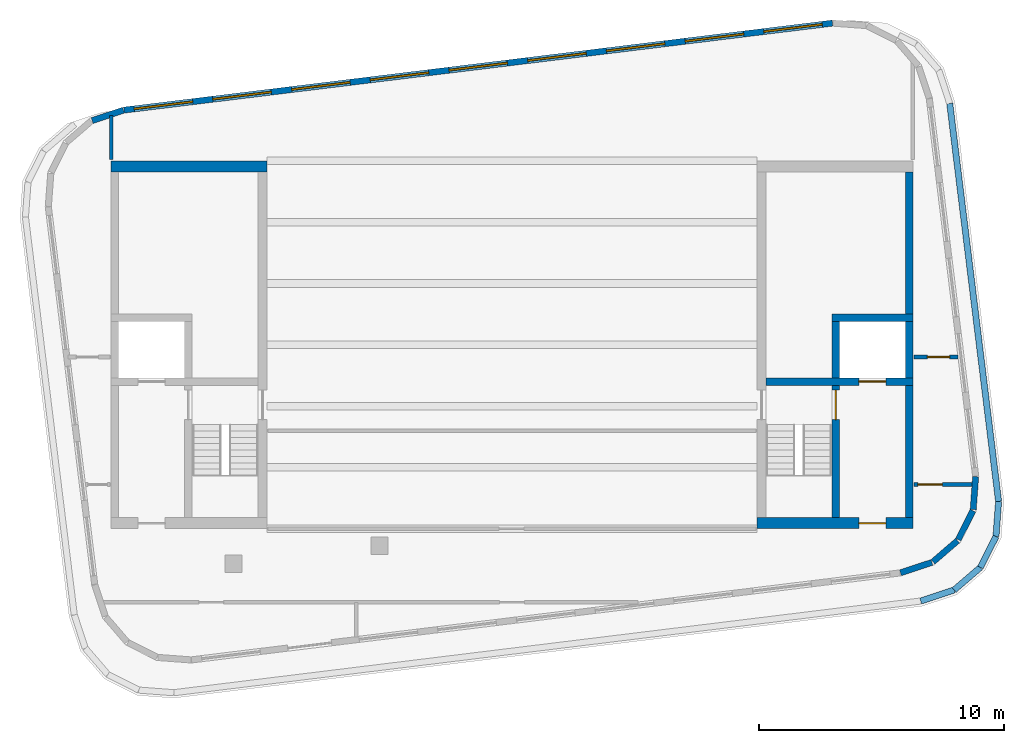
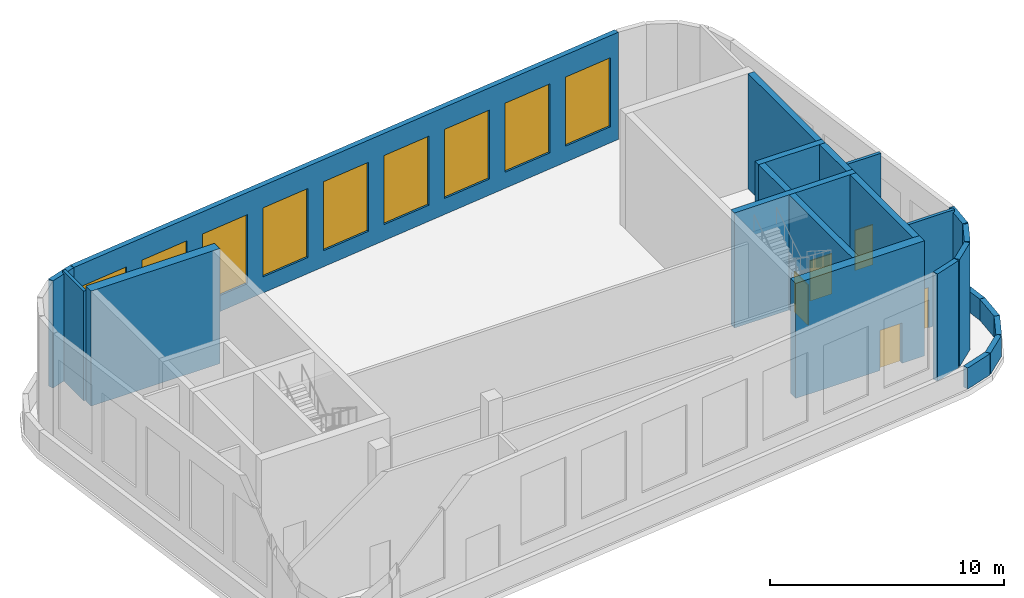
# One storey, part 3 of 5: 23 walls, 9 windows, 5 doors, 14 openings.
"""IFC4 building model written with IfcOpenShell, lengths in metres."""

from ifc_helpers import new_model, si_unit, direction, frame, frame_2d, origin, place, context, subcontext, project, spatial, rectangle, extrude, material, layer, layer_set, type_object, element, fill, save


model = new_model("IFC4")

# Units and contexts
model_context = context("Model", 3, precision=1e-05, world=origin(), true_north=direction((0.0, 1.0)))
body_context = subcontext(model_context, "Body", "Model", "MODEL_VIEW")
ifc_project = project(units=[si_unit("LENGTHUNIT", "METRE"), si_unit("AREAUNIT", "SQUARE_METRE"), si_unit("VOLUMEUNIT", "CUBIC_METRE"), si_unit("PLANEANGLEUNIT", "RADIAN"), si_unit("MASSUNIT", "GRAM", prefix="KILO")], contexts=[model_context])

# Site, building, storey
site_placement = place(None, origin())
site = spatial("IfcSite", under=ifc_project, at=site_placement, CompositionType="ELEMENT")
building_placement = place(site_placement, origin())
building = spatial("IfcBuilding", under=site, at=building_placement, Name="Torana Hotel and Residences", CompositionType="ELEMENT")
storey_placement = place(building_placement, frame((0.0, 0.0, 357.39990234375)))
storey = spatial("IfcBuildingStorey", under=building, at=storey_placement, Name="C4", CompositionType="ELEMENT", Elevation=357.39990234375)

# Walls
ifc_material_1 = material(Name="Concrete C50/60", Category="concrete")
ifc_layer_1 = layer(ifc_material_1, 0.300048828125)
ifc_layer_set_1 = layer_set([ifc_layer_1], Name="CORE WALL 300 C50/60")
wall_type_1 = type_object("IfcWallType", Name="CORE WALL 300 C50/60", PredefinedType="SHEAR", material=ifc_layer_set_1)
wall_1_placement = place(storey_placement, frame((16.199951171875, -6.25, 0.0), z_axis=(0.0, 0.0, 1.0), x_axis=(0.0, 1.0, 0.0)))
element("IfcWall", 1, at=wall_1_placement, inside=storey, type_object=wall_type_1, Name="Core wall E outer-n", PredefinedType="SHEAR", context=body_context, shape_type="SweptSolid", body=[
    extrude(rectangle(XDim=5.800048828125, YDim=0.300048828125, at=frame_2d((2.89990234375, 0.0))), origin(), (0.0, 0.0, 1.0), 6.0),
])
wall_2_placement = place(storey_placement, frame((16.199951171875, -14.550048828125, 0.0), z_axis=(0.0, 0.0, 1.0), x_axis=(0.0, 1.0, 0.0)))
element("IfcWall", 2, at=wall_2_placement, inside=storey, type_object=wall_type_1, Name="Core wall E outer-s", PredefinedType="SHEAR", context=body_context, shape_type="SweptSolid", body=[
    extrude(rectangle(XDim=5.400146484375, YDim=0.300048828125, at=frame_2d((2.7001953125, 0.0))), origin(), (0.0, 0.0, 1.0), 6.0),
])

# Wall, opening, door
wall_3_placement = place(storey_placement, frame((10.35009765625, -9.0, 0.0), z_axis=(0.0, 0.0, 1.0), x_axis=(1.0, 0.0, 0.0)))
wall_3 = element("IfcWall", 3, at=wall_3_placement, inside=storey, type_object=wall_type_1, Name="Core wall E band", PredefinedType="SHEAR", context=body_context, shape_type="SweptSolid", body=[
    extrude(rectangle(XDim=6.0, YDim=0.300048828125, at=frame_2d((3.0, 0.0))), origin(), (0.0, 0.0, 1.0), 6.0),
])
opening_1_placement = place(wall_3_placement, frame((3.800048828125, 0.0, 0.0)))
opening_1 = element("IfcOpeningElement", 4, at=opening_1_placement, cuts=wall_3, Name="Opening LD", PredefinedType="OPENING", context=body_context, shape_type="SweptSolid", body=[
    extrude(rectangle(XDim=1.10009765625, YDim=2.10009765625, at=frame_2d((0.550048828125, 1.050048828125))), frame((0.0, 0.159912109375, 0.0), z_axis=(0.0, -1.0, 0.0), x_axis=(1.0, 0.0, 0.0)), (0.0, 0.0, 1.0), 0.320068359375),
])
ifc_material_2 = material(Name="Stainless steel 316", Category="steel")
door_type_1 = type_object("IfcDoorType", Name="LIFT LANDING DOOR LD 1100x2100", OperationType="DOUBLE_DOOR_SLIDING", PredefinedType="USERDEFINED", material=ifc_material_2)
door_1_placement = place(opening_1_placement, origin())
door_1 = element("IfcDoor", 5, at=door_1_placement, inside=storey, type_object=door_type_1, Name="Lift landing door FF2 C4", ObjectType="LIFT LANDING DOOR", OperationType="DOUBLE_DOOR_SLIDING", OverallHeight=2.10009765625, OverallWidth=1.10009765625, PredefinedType="USERDEFINED", context=body_context, shape_type="SweptSolid", body=[
    extrude(rectangle(XDim=1.10009765625, YDim=2.10009765625, at=frame_2d((0.550048828125, 1.050048828125))), frame((0.0, 0.02490234375, 0.0), z_axis=(0.0, -1.0, 0.0), x_axis=(1.0, 0.0, 0.0)), (0.0, 0.0, 1.0), 0.050048828125),
])
fill(opening_1, door_1)

wall_4_placement = place(storey_placement, frame((13.199951171875, -14.550048828125, 0.0), z_axis=(0.0, 0.0, 1.0), x_axis=(0.0, 1.0, 0.0)))
wall_4 = element("IfcWall", 6, at=wall_4_placement, inside=storey, type_object=wall_type_1, Name="Core wall E x3.05-band", PredefinedType="SHEAR", context=body_context, shape_type="SweptSolid", body=[
    extrude(rectangle(XDim=5.400146484375, YDim=0.300048828125, at=frame_2d((2.7001953125, 0.0))), origin(), (0.0, 0.0, 1.0), 6.0),
])
opening_2_placement = place(wall_4_placement, frame((4.0, 0.0, 0.0)))
opening_2 = element("IfcOpeningElement", 7, at=opening_2_placement, cuts=wall_4, Name="Opening C4-06", PredefinedType="OPENING", context=body_context, shape_type="SweptSolid", body=[
    extrude(rectangle(XDim=1.199951171875, YDim=2.10009765625, at=frame_2d((0.60009765625, 1.050048828125))), frame((0.0, 0.159912109375, 0.0), z_axis=(0.0, -1.0, 0.0), x_axis=(1.0, 0.0, 0.0)), (0.0, 0.0, 1.0), 0.320068359375),
])
ifc_material_3 = material(Name="Steel S235", Category="steel")
door_type_2 = type_object("IfcDoorType", Name="STAIR FIRE DOOR D3 1200x2100", OperationType="SINGLE_SWING_LEFT", PredefinedType="DOOR", material=ifc_material_3)
door_2_placement = place(opening_2_placement, origin())
door_2 = element("IfcDoor", 8, at=door_2_placement, inside=storey, type_object=door_type_2, Name="Stair-A-lobby door C4", OperationType="SINGLE_SWING_LEFT", OverallHeight=2.10009765625, OverallWidth=1.199951171875, PredefinedType="DOOR", context=body_context, shape_type="SweptSolid", body=[
    extrude(rectangle(XDim=1.199951171875, YDim=2.10009765625, at=frame_2d((0.60009765625, 1.050048828125))), frame((0.0, 0.02490234375, 0.0), z_axis=(0.0, -1.0, 0.0), x_axis=(1.0, 0.0, 0.0)), (0.0, 0.0, 1.0), 0.050048828125),
])
fill(opening_2, door_2)

# Walls
wall_5_placement = place(storey_placement, frame((13.050048828125, -6.39990234375, 0.0), z_axis=(0.0, 0.0, 1.0), x_axis=(1.0, 0.0, 0.0)))
element("IfcWall", 9, at=wall_5_placement, inside=storey, type_object=wall_type_1, Name="Core wall E row-S", PredefinedType="SHEAR", context=body_context, shape_type="SweptSolid", body=[
    extrude(rectangle(XDim=3.300048828125, YDim=0.300048828125, at=frame_2d((1.64990234375, 0.0))), origin(), (0.0, 0.0, 1.0), 6.0),
])
for number, where, z_axis, x_axis, name in (
    (10, (13.199951171875, -8.85009765625, 0.0), (0.0, 0.0, 1.0), (0.0, 1.0, 0.0), "Core wall E x3.05-S"),
    (11, (16.199951171875, -8.85009765625, 0.0), (0.0, 0.0, 1.0), (0.0, 1.0, 0.0), "Core wall E x6.05-S"),
):
    element("IfcWall", number, at=place(storey_placement, frame(where, z_axis=z_axis, x_axis=x_axis)), inside=storey, type_object=wall_type_1, Name=name, PredefinedType="SHEAR", context=body_context, shape_type="SweptSolid", body=[
        extrude(rectangle(XDim=2.300048828125, YDim=0.300048828125, at=frame_2d((1.14990234375, 0.0))), origin(), (0.0, 0.0, 1.0), 6.0),
    ])
ifc_material_4 = material(Name="Concrete C50/60", Category="concrete")
ifc_layer_2 = layer(ifc_material_4, 0.449951171875)
ifc_layer_set_2 = layer_set([ifc_layer_2], Name="CORE WALL 450 C50/60")
wall_type_2 = type_object("IfcWallType", Name="CORE WALL 450 C50/60", PredefinedType="SHEAR", material=ifc_layer_set_2)
wall_6_placement = place(storey_placement, frame((-16.35009765625, -0.22509765625, 0.0), z_axis=(0.0, 0.0, 1.0), x_axis=(1.0, 0.0, 0.0)))
element("IfcWall", 12, at=wall_6_placement, inside=storey, type_object=wall_type_2, Name="Core wall W rear", PredefinedType="SHEAR", context=body_context, shape_type="SweptSolid", body=[
    extrude(rectangle(XDim=6.35009765625, YDim=0.449951171875, at=frame_2d((3.175048828125, 0.0))), origin(), (0.0, 0.0, 1.0), 6.0),
])

# Wall, opening, door
wall_7_placement = place(storey_placement, frame((10.0, -14.77490234375, 0.0), z_axis=(0.0, 0.0, 1.0), x_axis=(1.0, 0.0, 0.0)))
wall_7 = element("IfcWall", 13, at=wall_7_placement, inside=storey, type_object=wall_type_2, Name="Core wall E front", PredefinedType="SHEAR", context=body_context, shape_type="SweptSolid", body=[
    extrude(rectangle(XDim=6.35009765625, YDim=0.449951171875, at=frame_2d((3.175048828125, 0.0))), origin(), (0.0, 0.0, 1.0), 6.0),
])
opening_3_placement = place(wall_7_placement, frame((4.14990234375, 0.0, 0.0)))
opening_3 = element("IfcOpeningElement", 14, at=opening_3_placement, cuts=wall_7, Name="Opening C4-05", PredefinedType="OPENING", context=body_context, shape_type="SweptSolid", body=[
    extrude(rectangle(XDim=1.10009765625, YDim=2.10009765625, at=frame_2d((0.550048828125, 1.050048828125))), frame((0.0, 0.23486328125, 0.0), z_axis=(0.0, -1.0, 0.0), x_axis=(1.0, 0.0, 0.0)), (0.0, 0.0, 1.0), 0.469970703125),
])
ifc_material_5 = material(Name="Steel S235", Category="steel")
door_type_3 = type_object("IfcDoorType", Name="FIRE-FIGHTING LOBBY DOOR D8 1100x2100", OperationType="SINGLE_SWING_LEFT", PredefinedType="DOOR", material=ifc_material_5)
door_3_placement = place(opening_3_placement, origin())
door_3 = element("IfcDoor", 15, at=door_3_placement, inside=storey, type_object=door_type_3, Name="FF-lobby door C4", OperationType="SINGLE_SWING_RIGHT", OverallHeight=2.10009765625, OverallWidth=1.10009765625, PredefinedType="DOOR", context=body_context, shape_type="SweptSolid", body=[
    extrude(rectangle(XDim=1.10009765625, YDim=2.10009765625, at=frame_2d((0.550048828125, 1.050048828125))), frame((0.0, 0.02490234375, 0.0), z_axis=(0.0, -1.0, 0.0), x_axis=(1.0, 0.0, 0.0)), (0.0, 0.0, 1.0), 0.050048828125),
])
fill(opening_3, door_3)

# Wall, openings, windows
ifc_material_6 = material(Name="Aluminium louvre wall", Category="aluminium")
ifc_layer_3 = layer(ifc_material_6, 0.25)
ifc_layer_set_3 = layer_set([ifc_layer_3], Name="EW3 LOUVRE WALL 250")
wall_type_3 = type_object("IfcWallType", Name="EW3 LOUVRE WALL 250", PredefinedType="SOLIDWALL", material=ifc_layer_set_3)
wall_8_placement = place(storey_placement, frame((13.0703125, 5.62060546875, 0.0), z_axis=(0.0, 0.0, 1.0), x_axis=(-0.992546587848, -0.121865790738, 0.0)))
wall_8 = element("IfcWall", 16, at=wall_8_placement, inside=storey, type_object=wall_type_3, Name="Louvre wall C4 e0.4", PredefinedType="SOLIDWALL", context=body_context, shape_type="SweptSolid", body=[
    extrude(rectangle(XDim=29.11083984375, YDim=0.25, at=frame_2d((14.555419921875, 0.0))), origin(), (0.0, 0.0, 1.0), 5.590087890625),
])
opening_4_placement = place(wall_8_placement, frame((0.417236328125, 0.0, 0.83837890625)))
opening_4 = element("IfcOpeningElement", 17, at=opening_4_placement, cuts=wall_8, Name="Opening LV2", PredefinedType="OPENING", context=body_context, shape_type="SweptSolid", body=[
    extrude(rectangle(XDim=2.39990234375, YDim=3.60009765625, at=frame_2d((1.199951171875, 1.800048828125))), frame((0.0, 0.135009765625, 0.0), z_axis=(0.0, -1.0, 0.0), x_axis=(1.0, 0.0, 0.0)), (0.0, 0.0, 1.0), 0.27001953125),
])
opening_5_placement = place(wall_8_placement, frame((3.65185546875, 0.0, 0.83837890625)))
opening_5 = element("IfcOpeningElement", 18, at=opening_5_placement, cuts=wall_8, Name="Opening LV2", PredefinedType="OPENING", context=body_context, shape_type="SweptSolid", body=[
    extrude(rectangle(XDim=2.39990234375, YDim=3.60009765625, at=frame_2d((1.199951171875, 1.800048828125))), frame((0.0, 0.135009765625, 0.0), z_axis=(0.0, -1.0, 0.0), x_axis=(1.0, 0.0, 0.0)), (0.0, 0.0, 1.0), 0.27001953125),
])
opening_6_placement = place(wall_8_placement, frame((6.88623046875, 0.0, 0.83837890625)))
opening_6 = element("IfcOpeningElement", 19, at=opening_6_placement, cuts=wall_8, Name="Opening LV2", PredefinedType="OPENING", context=body_context, shape_type="SweptSolid", body=[
    extrude(rectangle(XDim=2.39990234375, YDim=3.60009765625, at=frame_2d((1.199951171875, 1.800048828125))), frame((0.0, 0.135009765625, 0.0), z_axis=(0.0, -1.0, 0.0), x_axis=(1.0, 0.0, 0.0)), (0.0, 0.0, 1.0), 0.27001953125),
])
opening_7_placement = place(wall_8_placement, frame((10.120849609375, 0.0, 0.83837890625)))
opening_7 = element("IfcOpeningElement", 20, at=opening_7_placement, cuts=wall_8, Name="Opening LV2", PredefinedType="OPENING", context=body_context, shape_type="SweptSolid", body=[
    extrude(rectangle(XDim=2.39990234375, YDim=3.60009765625, at=frame_2d((1.199951171875, 1.800048828125))), frame((0.0, 0.135009765625, 0.0), z_axis=(0.0, -1.0, 0.0), x_axis=(1.0, 0.0, 0.0)), (0.0, 0.0, 1.0), 0.27001953125),
])
opening_8_placement = place(wall_8_placement, frame((13.35546875, 0.0, 0.83837890625)))
opening_8 = element("IfcOpeningElement", 21, at=opening_8_placement, cuts=wall_8, Name="Opening LV2", PredefinedType="OPENING", context=body_context, shape_type="SweptSolid", body=[
    extrude(rectangle(XDim=2.39990234375, YDim=3.60009765625, at=frame_2d((1.199951171875, 1.800048828125))), frame((0.0, 0.135009765625, 0.0), z_axis=(0.0, -1.0, 0.0), x_axis=(1.0, 0.0, 0.0)), (0.0, 0.0, 1.0), 0.27001953125),
])
opening_9_placement = place(wall_8_placement, frame((16.58984375, 0.0, 0.83837890625)))
opening_9 = element("IfcOpeningElement", 22, at=opening_9_placement, cuts=wall_8, Name="Opening LV2", PredefinedType="OPENING", context=body_context, shape_type="SweptSolid", body=[
    extrude(rectangle(XDim=2.39990234375, YDim=3.60009765625, at=frame_2d((1.199951171875, 1.800048828125))), frame((0.0, 0.135009765625, 0.0), z_axis=(0.0, -1.0, 0.0), x_axis=(1.0, 0.0, 0.0)), (0.0, 0.0, 1.0), 0.27001953125),
])
opening_10_placement = place(wall_8_placement, frame((19.824462890625, 0.0, 0.83837890625)))
opening_10 = element("IfcOpeningElement", 23, at=opening_10_placement, cuts=wall_8, Name="Opening LV2", PredefinedType="OPENING", context=body_context, shape_type="SweptSolid", body=[
    extrude(rectangle(XDim=2.39990234375, YDim=3.60009765625, at=frame_2d((1.199951171875, 1.800048828125))), frame((0.0, 0.135009765625, 0.0), z_axis=(0.0, -1.0, 0.0), x_axis=(1.0, 0.0, 0.0)), (0.0, 0.0, 1.0), 0.27001953125),
])
opening_11_placement = place(wall_8_placement, frame((23.05908203125, 0.0, 0.83837890625)))
opening_11 = element("IfcOpeningElement", 24, at=opening_11_placement, cuts=wall_8, Name="Opening LV2", PredefinedType="OPENING", context=body_context, shape_type="SweptSolid", body=[
    extrude(rectangle(XDim=2.39990234375, YDim=3.60009765625, at=frame_2d((1.199951171875, 1.800048828125))), frame((0.0, 0.135009765625, 0.0), z_axis=(0.0, -1.0, 0.0), x_axis=(1.0, 0.0, 0.0)), (0.0, 0.0, 1.0), 0.27001953125),
])
opening_12_placement = place(wall_8_placement, frame((26.29345703125, 0.0, 0.83837890625)))
opening_12 = element("IfcOpeningElement", 25, at=opening_12_placement, cuts=wall_8, Name="Opening LV2", PredefinedType="OPENING", context=body_context, shape_type="SweptSolid", body=[
    extrude(rectangle(XDim=2.39990234375, YDim=3.60009765625, at=frame_2d((1.199951171875, 1.800048828125))), frame((0.0, 0.135009765625, 0.0), z_axis=(0.0, -1.0, 0.0), x_axis=(1.0, 0.0, 0.0)), (0.0, 0.0, 1.0), 0.27001953125),
])
ifc_material_7 = material(Name="Aluminium louvre blades", Category="aluminium")
window_type = type_object("IfcWindowType", Name="LV2 LOUVRE 2400x3600", PartitioningType="SINGLE_PANEL", PredefinedType="USERDEFINED", material=ifc_material_7)
window_1_placement = place(opening_4_placement, origin())
window_1 = element("IfcWindow", 26, at=window_1_placement, inside=storey, type_object=window_type, Name="Louvre C4", ObjectType="LOUVRE", OverallHeight=3.60009765625, OverallWidth=2.39990234375, PartitioningType="SINGLE_PANEL", PredefinedType="USERDEFINED", context=body_context, shape_type="SweptSolid", body=[
    extrude(rectangle(XDim=2.39990234375, YDim=3.60009765625, at=frame_2d((1.199951171875, 1.800048828125))), frame((0.0, 0.030029296875, 0.0), z_axis=(0.0, -1.0, 0.0), x_axis=(1.0, 0.0, 0.0)), (0.0, 0.0, 1.0), 0.06005859375),
])
fill(opening_4, window_1)
window_2_placement = place(opening_5_placement, origin())
window_2 = element("IfcWindow", 27, at=window_2_placement, inside=storey, type_object=window_type, Name="Louvre C4", ObjectType="LOUVRE", OverallHeight=3.60009765625, OverallWidth=2.39990234375, PartitioningType="SINGLE_PANEL", PredefinedType="USERDEFINED", context=body_context, shape_type="SweptSolid", body=[
    extrude(rectangle(XDim=2.39990234375, YDim=3.60009765625, at=frame_2d((1.199951171875, 1.800048828125))), frame((0.0, 0.030029296875, 0.0), z_axis=(0.0, -1.0, 0.0), x_axis=(1.0, 0.0, 0.0)), (0.0, 0.0, 1.0), 0.06005859375),
])
fill(opening_5, window_2)
window_3_placement = place(opening_6_placement, origin())
window_3 = element("IfcWindow", 28, at=window_3_placement, inside=storey, type_object=window_type, Name="Louvre C4", ObjectType="LOUVRE", OverallHeight=3.60009765625, OverallWidth=2.39990234375, PartitioningType="SINGLE_PANEL", PredefinedType="USERDEFINED", context=body_context, shape_type="SweptSolid", body=[
    extrude(rectangle(XDim=2.39990234375, YDim=3.60009765625, at=frame_2d((1.199951171875, 1.800048828125))), frame((0.0, 0.030029296875, 0.0), z_axis=(0.0, -1.0, 0.0), x_axis=(1.0, 0.0, 0.0)), (0.0, 0.0, 1.0), 0.06005859375),
])
fill(opening_6, window_3)
window_4_placement = place(opening_7_placement, origin())
window_4 = element("IfcWindow", 29, at=window_4_placement, inside=storey, type_object=window_type, Name="Louvre C4", ObjectType="LOUVRE", OverallHeight=3.60009765625, OverallWidth=2.39990234375, PartitioningType="SINGLE_PANEL", PredefinedType="USERDEFINED", context=body_context, shape_type="SweptSolid", body=[
    extrude(rectangle(XDim=2.39990234375, YDim=3.60009765625, at=frame_2d((1.199951171875, 1.800048828125))), frame((0.0, 0.030029296875, 0.0), z_axis=(0.0, -1.0, 0.0), x_axis=(1.0, 0.0, 0.0)), (0.0, 0.0, 1.0), 0.06005859375),
])
fill(opening_7, window_4)
window_5_placement = place(opening_8_placement, origin())
window_5 = element("IfcWindow", 30, at=window_5_placement, inside=storey, type_object=window_type, Name="Louvre C4", ObjectType="LOUVRE", OverallHeight=3.60009765625, OverallWidth=2.39990234375, PartitioningType="SINGLE_PANEL", PredefinedType="USERDEFINED", context=body_context, shape_type="SweptSolid", body=[
    extrude(rectangle(XDim=2.39990234375, YDim=3.60009765625, at=frame_2d((1.199951171875, 1.800048828125))), frame((0.0, 0.030029296875, 0.0), z_axis=(0.0, -1.0, 0.0), x_axis=(1.0, 0.0, 0.0)), (0.0, 0.0, 1.0), 0.06005859375),
])
fill(opening_8, window_5)
window_6_placement = place(opening_9_placement, origin())
window_6 = element("IfcWindow", 31, at=window_6_placement, inside=storey, type_object=window_type, Name="Louvre C4", ObjectType="LOUVRE", OverallHeight=3.60009765625, OverallWidth=2.39990234375, PartitioningType="SINGLE_PANEL", PredefinedType="USERDEFINED", context=body_context, shape_type="SweptSolid", body=[
    extrude(rectangle(XDim=2.39990234375, YDim=3.60009765625, at=frame_2d((1.199951171875, 1.800048828125))), frame((0.0, 0.030029296875, 0.0), z_axis=(0.0, -1.0, 0.0), x_axis=(1.0, 0.0, 0.0)), (0.0, 0.0, 1.0), 0.06005859375),
])
fill(opening_9, window_6)
window_7_placement = place(opening_10_placement, origin())
window_7 = element("IfcWindow", 32, at=window_7_placement, inside=storey, type_object=window_type, Name="Louvre C4", ObjectType="LOUVRE", OverallHeight=3.60009765625, OverallWidth=2.39990234375, PartitioningType="SINGLE_PANEL", PredefinedType="USERDEFINED", context=body_context, shape_type="SweptSolid", body=[
    extrude(rectangle(XDim=2.39990234375, YDim=3.60009765625, at=frame_2d((1.199951171875, 1.800048828125))), frame((0.0, 0.030029296875, 0.0), z_axis=(0.0, -1.0, 0.0), x_axis=(1.0, 0.0, 0.0)), (0.0, 0.0, 1.0), 0.06005859375),
])
fill(opening_10, window_7)
window_8_placement = place(opening_11_placement, origin())
window_8 = element("IfcWindow", 33, at=window_8_placement, inside=storey, type_object=window_type, Name="Louvre C4", ObjectType="LOUVRE", OverallHeight=3.60009765625, OverallWidth=2.39990234375, PartitioningType="SINGLE_PANEL", PredefinedType="USERDEFINED", context=body_context, shape_type="SweptSolid", body=[
    extrude(rectangle(XDim=2.39990234375, YDim=3.60009765625, at=frame_2d((1.199951171875, 1.800048828125))), frame((0.0, 0.030029296875, 0.0), z_axis=(0.0, -1.0, 0.0), x_axis=(1.0, 0.0, 0.0)), (0.0, 0.0, 1.0), 0.06005859375),
])
fill(opening_11, window_8)
window_9_placement = place(opening_12_placement, origin())
window_9 = element("IfcWindow", 34, at=window_9_placement, inside=storey, type_object=window_type, Name="Louvre C4", ObjectType="LOUVRE", OverallHeight=3.60009765625, OverallWidth=2.39990234375, PartitioningType="SINGLE_PANEL", PredefinedType="USERDEFINED", context=body_context, shape_type="SweptSolid", body=[
    extrude(rectangle(XDim=2.39990234375, YDim=3.60009765625, at=frame_2d((1.199951171875, 1.800048828125))), frame((0.0, 0.030029296875, 0.0), z_axis=(0.0, -1.0, 0.0), x_axis=(1.0, 0.0, 0.0)), (0.0, 0.0, 1.0), 0.06005859375),
])
fill(opening_12, window_9)

# Walls
for number, where, z_axis, x_axis, name in (
    (35, (-15.847412109375, 2.067626953125, 0.0), (0.0, 0.0, 1.0), (-0.949692775535, -0.313183064829, 0.0), "Louvre wall C4 e0.5"),
    (36, (15.847412109375, -16.797607421875, 0.0), (0.0, 0.0, 1.0), (0.949692775535, 0.313183064829, 0.0), "Louvre wall C4 e0.15"),
):
    element("IfcWall", number, at=place(storey_placement, frame(where, z_axis=z_axis, x_axis=x_axis)), inside=storey, type_object=wall_type_3, Name=name, PredefinedType="SOLIDWALL", context=body_context, shape_type="SweptSolid", body=[
        extrude(rectangle(XDim=1.347900390625, YDim=0.25, at=frame_2d((0.673828125, 0.0))), origin(), (0.0, 0.0, 1.0), 5.590087890625),
    ])
wall_9_placement = place(storey_placement, frame((17.169921875, -16.3515625, 0.0), z_axis=(0.0, 0.0, 1.0), x_axis=(0.757573589708, 0.652749765359, 0.0)))
element("IfcWall", 37, at=wall_9_placement, inside=storey, type_object=wall_type_3, Name="Louvre wall C4 e0.16", PredefinedType="SOLIDWALL", context=body_context, shape_type="SweptSolid", body=[
    extrude(rectangle(XDim=1.322998046875, YDim=0.25, at=frame_2d((0.66162109375, 0.0))), origin(), (0.0, 0.0, 1.0), 5.590087890625),
])
wall_10_placement = place(storey_placement, frame((18.2021484375, -15.44970703125, 0.0), z_axis=(0.0, 0.0, 1.0), x_axis=(0.44994291098, 0.89305732003, 0.0)))
element("IfcWall", 38, at=wall_10_placement, inside=storey, type_object=wall_type_3, Name="Louvre wall C4 e0.17", PredefinedType="SOLIDWALL", context=body_context, shape_type="SweptSolid", body=[
    extrude(rectangle(XDim=1.32275390625, YDim=0.25, at=frame_2d((0.661376953125, 0.0))), origin(), (0.0, 0.0, 1.0), 5.590087890625),
])
wall_11_placement = place(storey_placement, frame((18.810302734375, -14.221435546875, 0.0), z_axis=(0.0, 0.0, 1.0), x_axis=(0.074258626379, 0.99723901669, 0.0)))
element("IfcWall", 39, at=wall_11_placement, inside=storey, type_object=wall_type_3, Name="Louvre wall C4 e0.18", PredefinedType="SOLIDWALL", context=body_context, shape_type="SweptSolid", body=[
    extrude(rectangle(XDim=1.347900390625, YDim=0.25, at=frame_2d((0.673828125, 0.0))), origin(), (0.0, 0.0, 1.0), 5.590087890625),
])

# Wall, opening, door
ifc_material_8 = material(Name="Gypsum plaster")
ifc_layer_4 = layer(ifc_material_8, 0.014892578125, Name="Plaster", Category="finish")
ifc_material_9 = material(Name="Concrete blockwork", Category="masonry")
ifc_layer_5 = layer(ifc_material_9, 0.1201171875, Name="Blockwork", Category="structure")
ifc_layer_6 = layer(ifc_material_8, 0.014892578125, Name="Plaster", Category="finish")
ifc_layer_set_4 = layer_set([ifc_layer_4, ifc_layer_5, ifc_layer_6], Name="FIRE PARTITION 150 BLOCKWORK")
wall_type_4 = type_object("IfcWallType", Name="FIRE PARTITION 150 BLOCKWORK", PredefinedType="PARTITIONING", material=ifc_layer_set_4)
wall_12_placement = place(storey_placement, frame((16.39990234375, -13.199951171875, 0.0), z_axis=(0.0, 0.0, 1.0), x_axis=(1.0, 0.0, 0.0)))
wall_12 = element("IfcWall", 40, at=wall_12_placement, inside=storey, type_object=wall_type_4, Name="Partition C4", PredefinedType="PARTITIONING", context=body_context, shape_type="SweptSolid", body=[
    extrude(rectangle(XDim=2.431396484375, YDim=0.14990234375, at=frame_2d((1.2158203125, 0.0))), origin(), (0.0, 0.0, 1.0), 5.72021484375),
])
opening_13_placement = place(wall_12_placement, frame((0.14990234375, 0.0, 0.0)))
opening_13 = element("IfcOpeningElement", 41, at=opening_13_placement, cuts=wall_12, Name="Opening C4-12", PredefinedType="OPENING", context=body_context, shape_type="SweptSolid", body=[
    extrude(rectangle(XDim=1.0, YDim=2.10009765625, at=frame_2d((0.5, 1.050048828125))), frame((0.0, 0.0849609375, 0.0), z_axis=(0.0, -1.0, 0.0), x_axis=(1.0, 0.0, 0.0)), (0.0, 0.0, 1.0), 0.169921875),
])
ifc_material_10 = material(Name="Steel S235", Category="steel")
door_type_4 = type_object("IfcDoorType", Name="CORE ROOM FIRE DOOR D14 1000x2100", OperationType="SINGLE_SWING_LEFT", PredefinedType="DOOR", material=ifc_material_10)
door_4_placement = place(opening_13_placement, origin())
door_4 = element("IfcDoor", 42, at=door_4_placement, inside=storey, type_object=door_type_4, Name="Door C4", OperationType="SINGLE_SWING_RIGHT", OverallHeight=2.10009765625, OverallWidth=1.0, PredefinedType="DOOR", context=body_context, shape_type="SweptSolid", body=[
    extrude(rectangle(XDim=1.0, YDim=2.10009765625, at=frame_2d((0.5, 1.050048828125))), frame((0.0, 0.02490234375, 0.0), z_axis=(0.0, -1.0, 0.0), x_axis=(1.0, 0.0, 0.0)), (0.0, 0.0, 1.0), 0.050048828125),
])
fill(opening_13, door_4)

# Wall
ifc_material_11 = material(Name="Gypsum plasterboard")
ifc_layer_7 = layer(ifc_material_11, 0.012451171875, Name="Plasterboard", Category="finish")
ifc_layer_8 = layer(ifc_material_11, 0.012451171875, Name="Plasterboard", Category="finish")
ifc_material_12 = material(Name="Steel S280GD", Category="steel")
ifc_layer_9 = layer(ifc_material_12, 0.10009765625, Name="Steel studs with mineral wool", Category="insulation")
ifc_layer_10 = layer(ifc_material_11, 0.012451171875, Name="Plasterboard", Category="finish")
ifc_layer_11 = layer(ifc_material_11, 0.012451171875, Name="Plasterboard", Category="finish")
ifc_layer_set_5 = layer_set([ifc_layer_7, ifc_layer_8, ifc_layer_9, ifc_layer_10, ifc_layer_11], Name="PARTITION 150 PLASTERBOARD")
wall_type_5 = type_object("IfcWallType", Name="PARTITION 150 PLASTERBOARD", PredefinedType="PARTITIONING", material=ifc_layer_set_5)
wall_13_placement = place(storey_placement, frame((-16.35009765625, 0.050048828125, 0.0), z_axis=(0.0, 0.0, 1.0), x_axis=(0.0, 1.0, 0.0)))
element("IfcWall", 43, at=wall_13_placement, inside=storey, type_object=wall_type_5, Name="Partition C4", PredefinedType="PARTITIONING", context=body_context, shape_type="SweptSolid", body=[
    extrude(rectangle(XDim=1.7939453125, YDim=0.14990234375, at=frame_2d((0.89697265625, 0.0))), origin(), (0.0, 0.0, 1.0), 5.72021484375),
])

# Wall, opening, door
wall_14_placement = place(storey_placement, frame((16.39990234375, -8.0, 0.0), z_axis=(0.0, 0.0, 1.0), x_axis=(1.0, 0.0, 0.0)))
wall_14 = element("IfcWall", 44, at=wall_14_placement, inside=storey, type_object=wall_type_5, Name="Partition C4", PredefinedType="PARTITIONING", context=body_context, shape_type="SweptSolid", body=[
    extrude(rectangle(XDim=1.798095703125, YDim=0.14990234375, at=frame_2d((0.89892578125, 0.0))), origin(), (0.0, 0.0, 1.0), 5.72021484375),
])
opening_14_placement = place(wall_14_placement, frame((0.544921875, 0.0, 0.0)))
opening_14 = element("IfcOpeningElement", 45, at=opening_14_placement, cuts=wall_14, Name="Opening C4-13", PredefinedType="OPENING", context=body_context, shape_type="SweptSolid", body=[
    extrude(rectangle(XDim=0.89990234375, YDim=2.10009765625, at=frame_2d((0.449951171875, 1.050048828125))), frame((0.0, 0.0849609375, 0.0), z_axis=(0.0, -1.0, 0.0), x_axis=(1.0, 0.0, 0.0)), (0.0, 0.0, 1.0), 0.169921875),
])
ifc_material_13 = material(Name="Timber door, oiled ash", Category="wood")
door_type_5 = type_object("IfcDoorType", Name="ROOM DOOR D7 900x2100", OperationType="SINGLE_SWING_LEFT", PredefinedType="DOOR", material=ifc_material_13)
door_5_placement = place(opening_14_placement, origin())
door_5 = element("IfcDoor", 46, at=door_5_placement, inside=storey, type_object=door_type_5, Name="Door C4", OperationType="SINGLE_SWING_LEFT", OverallHeight=2.10009765625, OverallWidth=0.89990234375, PredefinedType="DOOR", context=body_context, shape_type="SweptSolid", body=[
    extrude(rectangle(XDim=0.89990234375, YDim=2.10009765625, at=frame_2d((0.449951171875, 1.050048828125))), frame((0.0, 0.02490234375, 0.0), z_axis=(0.0, -1.0, 0.0), x_axis=(1.0, 0.0, 0.0)), (0.0, 0.0, 1.0), 0.050048828125),
])
fill(opening_14, door_5)

# Walls
ifc_material_14 = material(Name="Aluminium coping with drip", Category="aluminium")
ifc_layer_12 = layer(ifc_material_14, 0.0029296875, Name="Coping flashing", Category="flashing")
ifc_material_15 = material(Name="Concrete C40/50 precast", Category="concrete")
ifc_layer_13 = layer(ifc_material_15, 0.00390625, Name="Cladding", Category="cladding")
ifc_material_16 = material(Name="Concrete C40/50", Category="concrete")
ifc_layer_14 = layer(ifc_material_16, 0.199951171875, Name="Wall", Category="structure")
ifc_material_17 = material(Name="Mineral wool insulation")
ifc_layer_15 = layer(ifc_material_17, 0.0400390625, Name="Insulation", Category="insulation")
ifc_material_18 = material(Name="Waterproofing upstand")
ifc_layer_16 = layer(ifc_material_18, 0.0029296875, Name="Upstand membrane", Category="membrane")
ifc_layer_set_6 = layer_set([ifc_layer_12, ifc_layer_13, ifc_layer_14, ifc_layer_15, ifc_layer_16], Name="PP1 PARAPET 250")
wall_type_6 = type_object("IfcWallType", Name="PP1 PARAPET 250", PredefinedType="PARAPET", material=ifc_layer_set_6)
wall_15_placement = place(storey_placement, frame((17.85302734375, 2.340576171875, 0.0), z_axis=(0.0, 0.0, 1.0), x_axis=(0.121860332662, -0.99254725798, 0.0)))
element("IfcWall", 47, at=wall_15_placement, inside=storey, type_object=wall_type_6, Name="Roof parapet C4 4", PredefinedType="PARAPET", context=body_context, shape_type="SweptSolid", body=[
    extrude(rectangle(XDim=16.35009765625, YDim=0.25, at=frame_2d((8.175048828125, 0.0))), origin(), (0.0, 0.0, 1.0), 1.10009765625),
])
wall_16_placement = place(storey_placement, frame((19.845458984375, -13.8876953125, 0.0), z_axis=(0.0, 0.0, 1.0), x_axis=(-0.074078687454, -0.997252399378, 0.0)))
element("IfcWall", 48, at=wall_16_placement, inside=storey, type_object=wall_type_6, Name="Roof parapet C4 5", PredefinedType="PARAPET", context=body_context, shape_type="SweptSolid", body=[
    extrude(rectangle(XDim=1.43359375, YDim=0.25, at=frame_2d((0.716796875, 0.0))), origin(), (0.0, 0.0, 1.0), 1.10009765625),
])
wall_17_placement = place(storey_placement, frame((19.7392578125, -15.3173828125, 0.0), z_axis=(0.0, 0.0, 1.0), x_axis=(-0.450047928384, -0.893004402093, 0.0)))
element("IfcWall", 49, at=wall_17_placement, inside=storey, type_object=wall_type_6, Name="Roof parapet C4 6", PredefinedType="PARAPET", context=body_context, shape_type="SweptSolid", body=[
    extrude(rectangle(XDim=1.41162109375, YDim=0.25, at=frame_2d((0.705810546875, 0.0))), origin(), (0.0, 0.0, 1.0), 1.10009765625),
])
wall_18_placement = place(storey_placement, frame((19.10400390625, -16.577880859375, 0.0), z_axis=(0.0, 0.0, 1.0), x_axis=(-0.75755738331, -0.65276857384, 0.0)))
element("IfcWall", 50, at=wall_18_placement, inside=storey, type_object=wall_type_6, Name="Roof parapet C4 7", PredefinedType="PARAPET", context=body_context, shape_type="SweptSolid", body=[
    extrude(rectangle(XDim=1.411865234375, YDim=0.25, at=frame_2d((0.7060546875, 0.0))), origin(), (0.0, 0.0, 1.0), 1.10009765625),
])
wall_19_placement = place(storey_placement, frame((18.034423828125, -17.49951171875, 0.0), z_axis=(0.0, 0.0, 1.0), x_axis=(-0.949683374185, -0.313211571938, 0.0)))
element("IfcWall", 51, at=wall_19_placement, inside=storey, type_object=wall_type_6, Name="Roof parapet C4 8", PredefinedType="PARAPET", context=body_context, shape_type="SweptSolid", body=[
    extrude(rectangle(XDim=1.433349609375, YDim=0.25, at=frame_2d((0.716796875, 0.0))), origin(), (0.0, 0.0, 1.0), 1.10009765625),
])

save(model, "model.ifc")
